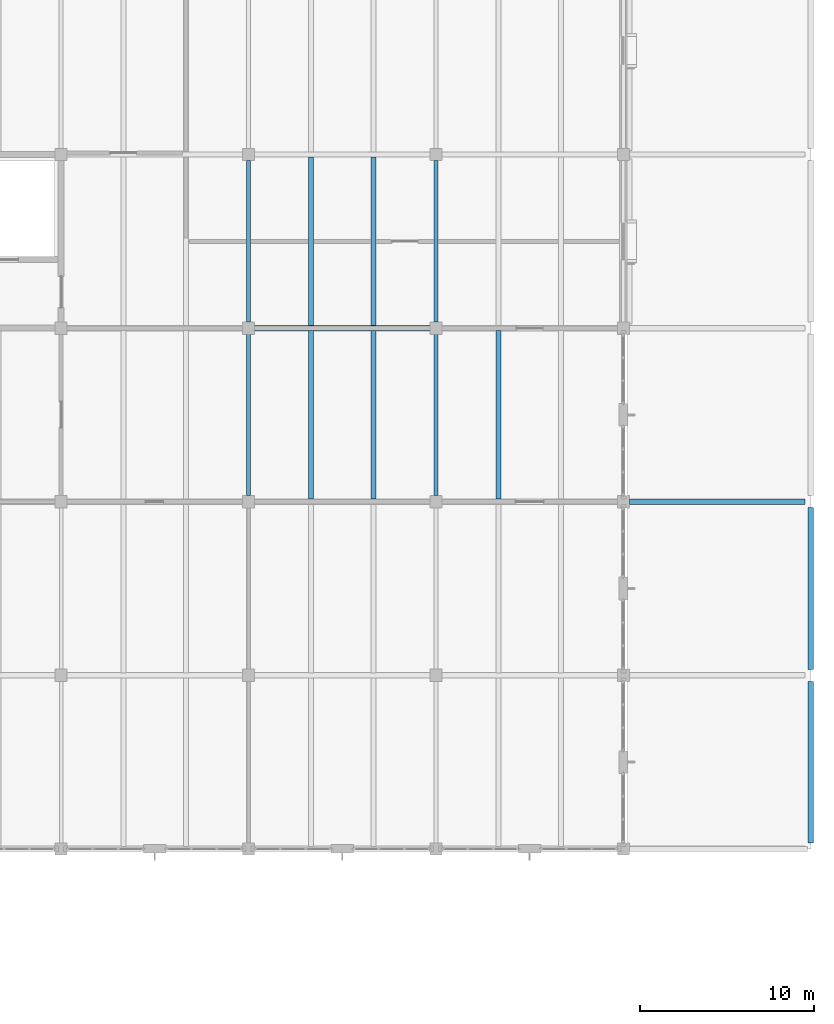
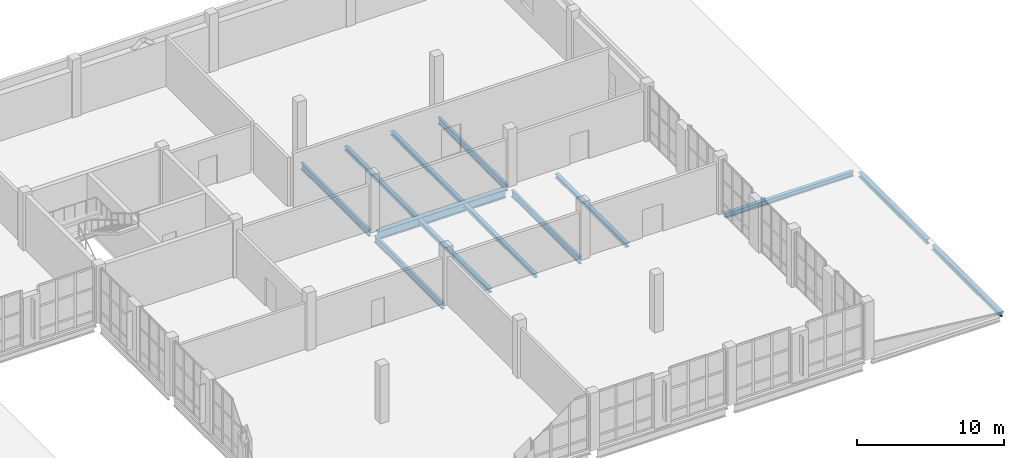
# One storey, part 53 of 92: 13 beams.
"""IFC4 building model written with IfcOpenShell, lengths in metres."""

from ifc_helpers import new_model, si_unit, direction, frame, origin, origin_2d, place, context, subcontext, project, spatial, i_section, extrude, material, material_profile, profile_set, type_object, element, save


model = new_model("IFC4")

# Units and contexts
model_context = context("Model", 3, precision=1e-05, world=origin(), true_north=direction((0.0, 1.0)))
body_context = subcontext(model_context, "Body", "Model", "MODEL_VIEW")
ifc_project = project(units=[si_unit("LENGTHUNIT", "METRE"), si_unit("AREAUNIT", "SQUARE_METRE"), si_unit("VOLUMEUNIT", "CUBIC_METRE"), si_unit("PLANEANGLEUNIT", "RADIAN"), si_unit("MASSUNIT", "GRAM", prefix="KILO")], contexts=[model_context])

# Site, building, storey
site_placement = place(None, origin())
site = spatial("IfcSite", under=ifc_project, at=site_placement, CompositionType="ELEMENT")
building_placement = place(site_placement, origin())
building = spatial("IfcBuilding", under=site, at=building_placement, Name="Tasgan Crest Museum", CompositionType="ELEMENT")
storey_placement = place(building_placement, frame((0.0, 0.0, 4.800048828125)))
storey = spatial("IfcBuildingStorey", under=building, at=storey_placement, Name="L01", CompositionType="ELEMENT", Elevation=4.800048828125)

# Beams
ifc_material_1 = material(Name="Steel S355J2", Category="steel")
ifc_material_profile_1 = material_profile(ifc_material_1, i_section(OverallWidth=0.300048828125, OverallDepth=0.389892578125, WebThickness=0.010986328125, FlangeThickness=0.01904296875, FilletRadius=0.027099609375, at=origin_2d()), Name="HEA 400")
ifc_profile_set_1 = profile_set([ifc_material_profile_1], Name="Steel S355J2")
beam_type_1 = type_object("IfcBeamType", Name="BM-G-HEA400", PredefinedType="BEAM", material=ifc_profile_set_1)
beam_1_placement = place(storey_placement, frame((151.5458984375, 30.0, -0.47509765625), z_axis=(1.0, 0.0, 0.0), x_axis=(0.0, 1.0, 0.0)))
element("IfcBeam", 1, at=beam_1_placement, inside=storey, type_object=beam_type_1, Name="East loading dock sloped roof girder D 151.2", PredefinedType="BEAM", context=body_context, shape_type="SweptSolid", body=[
    extrude(i_section(OverallWidth=0.300048828125, OverallDepth=0.389892578125, WebThickness=0.010986328125, FlangeThickness=0.01904296875, FilletRadius=0.027099609375, at=origin_2d()), origin(), (0.0, 0.0, 1.0), 10.108154296875),
])
for number, where, z_axis, x_axis, name in (
    (2, (162.0, 10.344970703125, -0.47509765625), (0.0, 1.0, 0.0), (-1.0, 0.0, 0.0), "East loading dock sloped roof beam 16 10.0"),
    (3, (162.0, 20.344970703125, -0.47509765625), (0.0, 1.0, 0.0), (-1.0, 0.0, 0.0), "East loading dock sloped roof beam 16 20.0"),
):
    element("IfcBeam", number, at=place(storey_placement, frame(where, z_axis=z_axis, x_axis=x_axis)), inside=storey, type_object=beam_type_1, Name=name, PredefinedType="BEAM", context=body_context, shape_type="SweptSolid", body=[
        extrude(i_section(OverallWidth=0.300048828125, OverallDepth=0.389892578125, WebThickness=0.010986328125, FlangeThickness=0.01904296875, FilletRadius=0.027099609375, at=origin_2d()), origin(), (0.0, 0.0, 1.0), 9.31005859375),
    ])
ifc_material_2 = material(Name="Steel S355K2", Category="steel")
ifc_material_profile_2 = material_profile(ifc_material_2, i_section(OverallWidth=0.300048828125, OverallDepth=0.699951171875, WebThickness=0.01708984375, FlangeThickness=0.031982421875, FilletRadius=0.027099609375, at=origin_2d()), Name="HEB 700")
ifc_profile_set_2 = profile_set([ifc_material_profile_2], Name="Steel S355K2")
beam_type_2 = type_object("IfcBeamType", Name="BM-G-HEB700", PredefinedType="BEAM", material=ifc_profile_set_2)
beam_2_placement = place(storey_placement, frame((129.946044921875, 40.0, -0.630126953125), z_axis=(1.0, 0.0, 0.0), x_axis=(0.0, 1.0, 0.0)))
element("IfcBeam", 4, at=beam_2_placement, inside=storey, type_object=beam_type_2, Name="Girder L01 E 129.6-140.4", PredefinedType="BEAM", context=body_context, shape_type="SweptSolid", body=[
    extrude(i_section(OverallWidth=0.300048828125, OverallDepth=0.699951171875, WebThickness=0.01708984375, FlangeThickness=0.031982421875, FilletRadius=0.027099609375, at=origin_2d()), origin(), (0.0, 0.0, 1.0), 10.10791015625),
])
ifc_material_3 = material(Name="Steel S355J2", Category="steel")
ifc_material_profile_3 = material_profile(ifc_material_3, i_section(OverallWidth=0.2099609375, OverallDepth=0.550048828125, WebThickness=0.010986328125, FlangeThickness=0.01708984375, FilletRadius=0.02392578125, at=origin_2d()), Name="IPE 550")
ifc_profile_set_3 = profile_set([ifc_material_profile_3], Name="Steel S355J2")
beam_type_3 = type_object("IfcBeamType", Name="BM-G-IPE550", PredefinedType="BEAM", material=ifc_profile_set_3)
for number, where, z_axis, x_axis, name in (
    (5, (129.60009765625, 30.344970703125, -0.554931640625), (0.0, 1.0, 0.0), (-1.0, 0.0, 0.0), "Beam L01 13 30.0-40.0"),
    (6, (129.60009765625, 40.344970703125, -0.554931640625), (0.0, 1.0, 0.0), (-1.0, 0.0, 0.0), "Beam L01 13 40.0-50.0"),
    (7, (140.39990234375, 30.344970703125, -0.554931640625), (0.0, 1.0, 0.0), (-1.0, 0.0, 0.0), "Beam L01 14 30.0-40.0"),
    (8, (140.39990234375, 40.344970703125, -0.554931640625), (0.0, 1.0, 0.0), (-1.0, 0.0, 0.0), "Beam L01 14 40.0-50.0"),
):
    element("IfcBeam", number, at=place(storey_placement, frame(where, z_axis=z_axis, x_axis=x_axis)), inside=storey, type_object=beam_type_3, Name=name, PredefinedType="BEAM", context=body_context, shape_type="SweptSolid", body=[
        extrude(i_section(OverallWidth=0.2099609375, OverallDepth=0.550048828125, WebThickness=0.010986328125, FlangeThickness=0.01708984375, FilletRadius=0.02392578125, at=origin_2d()), origin(), (0.0, 0.0, 1.0), 9.31005859375),
    ])
ifc_material_4 = material(Name="Steel S355J2", Category="steel")
ifc_material_profile_4 = material_profile(ifc_material_4, i_section(OverallWidth=0.300048828125, OverallDepth=0.31005859375, WebThickness=0.009033203125, FlangeThickness=0.015380859375, FilletRadius=0.027099609375, at=origin_2d()), Name="HEA 320")
ifc_profile_set_4 = profile_set([ifc_material_profile_4], Name="Steel S355J2")
beam_type_4 = type_object("IfcBeamType", Name="BM-J-HEA320", PredefinedType="JOIST", material=ifc_profile_set_4)
for number, where, z_axis, x_axis, name in (
    (9, (133.199951171875, 30.14501953125, -0.43505859375), (0.0, 1.0, 0.0), (-1.0, 0.0, 0.0), "Secondary joist L01 X=133.2 Y=30.0-40.0"),
    (10, (136.800048828125, 30.14501953125, -0.43505859375), (0.0, 1.0, 0.0), (-1.0, 0.0, 0.0), "Secondary joist L01 X=136.8 Y=30.0-40.0"),
    (11, (133.199951171875, 40.14501953125, -0.43505859375), (0.0, 1.0, 0.0), (-1.0, 0.0, 0.0), "Secondary joist L01 X=133.2 Y=40.0-50.0"),
    (12, (136.800048828125, 40.14501953125, -0.43505859375), (0.0, 1.0, 0.0), (-1.0, 0.0, 0.0), "Secondary joist L01 X=136.8 Y=40.0-50.0"),
    (13, (144.0, 30.14501953125, -0.43505859375), (0.0, 1.0, 0.0), (-1.0, 0.0, 0.0), "Secondary joist L01 X=144.0 Y=30.0-40.0"),
):
    element("IfcBeam", number, at=place(storey_placement, frame(where, z_axis=z_axis, x_axis=x_axis)), inside=storey, type_object=beam_type_4, Name=name, PredefinedType="JOIST", context=body_context, shape_type="SweptSolid", body=[
        extrude(i_section(OverallWidth=0.300048828125, OverallDepth=0.31005859375, WebThickness=0.009033203125, FlangeThickness=0.015380859375, FilletRadius=0.027099609375, at=origin_2d()), origin(), (0.0, 0.0, 1.0), 9.7099609375),
    ])

save(model, "model.ifc")
